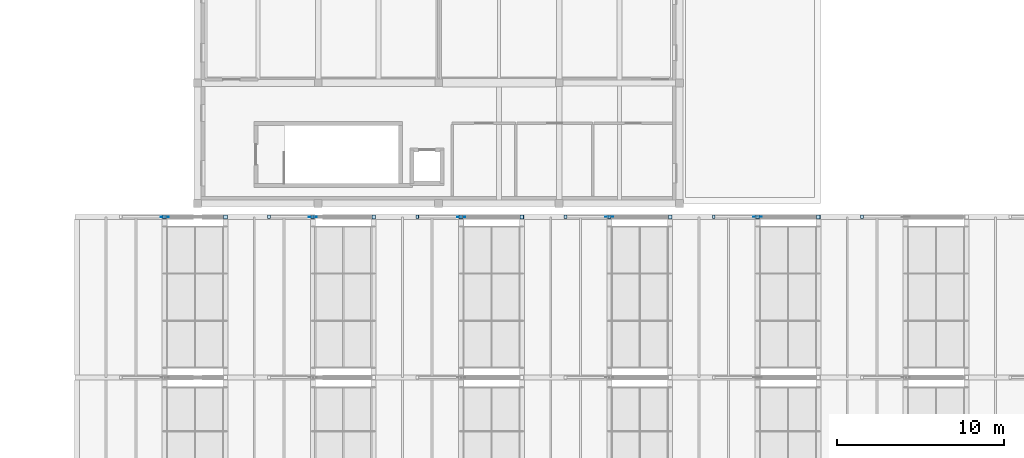
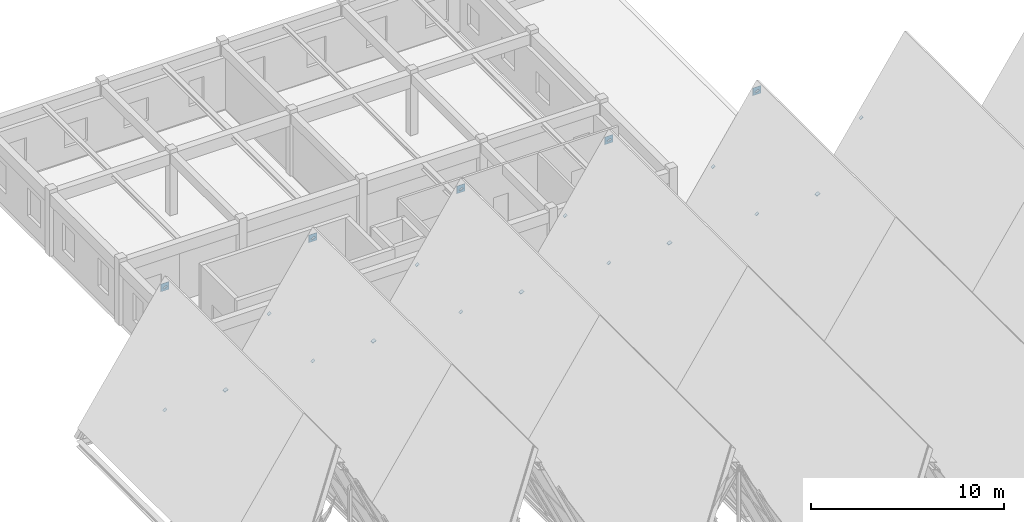
# One storey, part 80 of 99: 25 plates.
"""IFC4 building model written with IfcOpenShell, lengths in metres."""

from ifc_helpers import new_model, si_unit, direction, frame, origin, origin_2d, place, context, subcontext, project, spatial, rectangle, extrude, material, layer, layer_set, type_object, element, save


model = new_model("IFC4")

# Units and contexts
model_context = context("Model", 3, precision=1e-05, world=origin(), true_north=direction((0.0, 1.0)))
body_context = subcontext(model_context, "Body", "Model", "MODEL_VIEW")
ifc_project = project(units=[si_unit("LENGTHUNIT", "METRE"), si_unit("AREAUNIT", "SQUARE_METRE"), si_unit("VOLUMEUNIT", "CUBIC_METRE"), si_unit("PLANEANGLEUNIT", "RADIAN"), si_unit("MASSUNIT", "GRAM", prefix="KILO")], contexts=[model_context])

# Site, building, storey
site_placement = place(None, origin())
site = spatial("IfcSite", under=ifc_project, at=site_placement, CompositionType="ELEMENT")
building_placement = place(site_placement, origin())
building = spatial("IfcBuilding", under=site, at=building_placement, Name="Bramveld Media Centre", CompositionType="ELEMENT")
storey_placement = place(building_placement, frame((0.0, 0.0, 13.800048828125)))
storey = spatial("IfcBuildingStorey", under=building, at=storey_placement, Name="L03", CompositionType="ELEMENT", Elevation=13.800048828125)

# Plates
ifc_material_1 = material(Name="Steel S355J2", Category="steel")
ifc_layer_1 = layer(ifc_material_1, 0.010009765625)
ifc_layer_set_1 = layer_set([ifc_layer_1], Name="Steel S355J2")
plate_type_1 = type_object("IfcPlateType", Name="PLT-CAP-10", PredefinedType="USERDEFINED", material=ifc_layer_set_1)
for number, where, z_axis, x_axis, name in (
    (1, (129.219970703125, 38.39990234375, 0.0), (0.556174588167, 0.0, -0.83106547725), (0.0, 1.0, 0.0), "Hollow section end cap plate CAP-TRUSS-V1-B01-F5-W0"),
    (2, (138.0771484375, 38.39990234375, 0.0), (0.556159869959, 0.0, -0.831075326939), (0.0, 1.0, 0.0), "Hollow section end cap plate CAP-TRUSS-V1-B02-F5-W0"),
    (3, (135.467041015625, 38.39990234375, 3.89990234375), (-0.556159869959, 0.0, 0.831075326939), (0.0, -1.0, 0.0), "Hollow section end cap plate CAP-TRUSS-V1-B02-F5-W1"),
):
    element("IfcPlate", number, at=place(storey_placement, frame(where, z_axis=z_axis, x_axis=x_axis)), inside=storey, type_object=plate_type_1, Name=name, ObjectType="CAP PLATE", PredefinedType="USERDEFINED", context=body_context, shape_type="SweptSolid", body=[
        extrude(rectangle(XDim=0.199951171875, YDim=0.199951171875, at=origin_2d()), origin(), (0.0, 0.0, 1.0), 0.010009765625),
    ])
plate_1_placement = place(storey_placement, frame((150.5712890625, 38.39990234375, 0.0), z_axis=(0.422618287099, 0.0, -0.906307775212), x_axis=(0.0, 1.0, 0.0)))
element("IfcPlate", 4, at=plate_1_placement, inside=storey, type_object=plate_type_1, Name="Hollow section end cap plate CAP-TRUSS-V1-B03-F5-B", ObjectType="CAP PLATE", PredefinedType="USERDEFINED", context=body_context, shape_type="SweptSolid", body=[
    extrude(rectangle(XDim=0.239990234375, YDim=0.239990234375, at=origin_2d()), origin(), (0.0, 0.0, 1.0), 0.010009765625),
])
for number, where, z_axis, x_axis, name in (
    (5, (146.934326171875, 38.39990234375, 0.0), (0.556159869959, 0.0, -0.831075326939), (0.0, 1.0, 0.0), "Hollow section end cap plate CAP-TRUSS-V1-B03-F5-W0"),
    (6, (144.32421875, 38.39990234375, 3.89990234375), (-0.556159869959, 0.0, 0.831075326939), (0.0, -1.0, 0.0), "Hollow section end cap plate CAP-TRUSS-V1-B03-F5-W1"),
):
    element("IfcPlate", number, at=place(storey_placement, frame(where, z_axis=z_axis, x_axis=x_axis)), inside=storey, type_object=plate_type_1, Name=name, ObjectType="CAP PLATE", PredefinedType="USERDEFINED", context=body_context, shape_type="SweptSolid", body=[
        extrude(rectangle(XDim=0.199951171875, YDim=0.199951171875, at=origin_2d()), origin(), (0.0, 0.0, 1.0), 0.010009765625),
    ])
plate_2_placement = place(storey_placement, frame((155.79150390625, 38.39990234375, 7.7998046875), z_axis=(-0.422627830907, 0.0, 0.9063033248), x_axis=(0.0, -1.0, 0.0)))
element("IfcPlate", 7, at=plate_2_placement, inside=storey, type_object=plate_type_1, Name="Hollow section end cap plate CAP-TRUSS-V1-B04-F5-A", ObjectType="CAP PLATE", PredefinedType="USERDEFINED", context=body_context, shape_type="SweptSolid", body=[
    extrude(rectangle(XDim=0.239990234375, YDim=0.239990234375, at=origin_2d()), origin(), (0.0, 0.0, 1.0), 0.010009765625),
])
for number, where, z_axis, x_axis, name in (
    (8, (155.79150390625, 38.39990234375, 0.0), (0.556159869959, 0.0, -0.831075326939), (0.0, 1.0, 0.0), "Hollow section end cap plate CAP-TRUSS-V1-B04-F5-W0"),
    (9, (153.181396484375, 38.39990234375, 3.89990234375), (-0.556159869959, 0.0, 0.831075326939), (0.0, -1.0, 0.0), "Hollow section end cap plate CAP-TRUSS-V1-B04-F5-W1"),
    (10, (164.648681640625, 38.39990234375, 0.0), (0.556174588167, 0.0, -0.83106547725), (0.0, 1.0, 0.0), "Hollow section end cap plate CAP-TRUSS-V1-B05-F5-W0"),
    (11, (162.038330078125, 38.39990234375, 3.89990234375), (-0.556174588167, 0.0, 0.83106547725), (0.0, -1.0, 0.0), "Hollow section end cap plate CAP-TRUSS-V1-B05-F5-W1"),
    (12, (170.8955078125, 38.39990234375, 3.89990234375), (-0.556174588167, 0.0, 0.83106547725), (0.0, -1.0, 0.0), "Hollow section end cap plate CAP-TRUSS-V1-B06-F5-W1"),
):
    element("IfcPlate", number, at=place(storey_placement, frame(where, z_axis=z_axis, x_axis=x_axis)), inside=storey, type_object=plate_type_1, Name=name, ObjectType="CAP PLATE", PredefinedType="USERDEFINED", context=body_context, shape_type="SweptSolid", body=[
        extrude(rectangle(XDim=0.199951171875, YDim=0.199951171875, at=origin_2d()), origin(), (0.0, 0.0, 1.0), 0.010009765625),
    ])
ifc_material_2 = material(Name="Steel S355J2", Category="steel")
ifc_layer_2 = layer(ifc_material_2, 0.013916015625)
ifc_layer_set_2 = layer_set([ifc_layer_2], Name="Steel S355J2")
plate_type_2 = type_object("IfcPlateType", Name="PLT-CAP-14", PredefinedType="USERDEFINED", material=ifc_layer_set_2)
for number, where, z_axis, x_axis, name in (
    (13, (129.2197265625, 38.39990234375, 7.7998046875), (-0.422618287099, 0.0, 0.906307775212), (0.0, -1.0, 0.0), "Hollow section end cap plate CAP-TRUSS-V1-B01-F5-A"),
    (14, (159.4287109375, 38.39990234375, 0.0), (0.422627830907, 0.0, -0.9063033248), (0.0, 1.0, 0.0), "Hollow section end cap plate CAP-TRUSS-V1-B04-F5-B"),
    (15, (164.6484375, 38.39990234375, 7.7998046875), (-0.422618287099, 0.0, 0.906307775212), (0.0, -1.0, 0.0), "Hollow section end cap plate CAP-TRUSS-V1-B05-F5-A"),
):
    element("IfcPlate", number, at=place(storey_placement, frame(where, z_axis=z_axis, x_axis=x_axis)), inside=storey, type_object=plate_type_2, Name=name, ObjectType="CAP PLATE", PredefinedType="USERDEFINED", context=body_context, shape_type="SweptSolid", body=[
        extrude(rectangle(XDim=0.239990234375, YDim=0.239990234375, at=origin_2d()), origin(), (0.0, 0.0, 1.0), 0.013916015625),
    ])
ifc_material_3 = material(Name="Steel S355J2", Category="steel")
ifc_layer_3 = layer(ifc_material_3, 0.01806640625)
ifc_layer_set_3 = layer_set([ifc_layer_3], Name="Steel S355J2")
plate_type_3 = type_object("IfcPlateType", Name="PLT-CAP-18", PredefinedType="USERDEFINED", material=ifc_layer_set_3)
for number, where, z_axis, x_axis, name in (
    (16, (132.85693359375, 38.39990234375, 0.0), (0.422618287099, 0.0, -0.906307775212), (0.0, 1.0, 0.0), "Hollow section end cap plate CAP-TRUSS-V1-B01-F5-B"),
    (17, (138.0771484375, 38.39990234375, 7.7998046875), (-0.422627830907, 0.0, 0.9063033248), (0.0, -1.0, 0.0), "Hollow section end cap plate CAP-TRUSS-V1-B02-F5-A"),
    (18, (168.28564453125, 38.39990234375, 0.0), (0.422618287099, 0.0, -0.906307775212), (0.0, 1.0, 0.0), "Hollow section end cap plate CAP-TRUSS-V1-B05-F5-B"),
):
    element("IfcPlate", number, at=place(storey_placement, frame(where, z_axis=z_axis, x_axis=x_axis)), inside=storey, type_object=plate_type_3, Name=name, ObjectType="CAP PLATE", PredefinedType="USERDEFINED", context=body_context, shape_type="SweptSolid", body=[
        extrude(rectangle(XDim=0.239990234375, YDim=0.239990234375, at=origin_2d()), origin(), (0.0, 0.0, 1.0), 0.01806640625),
    ])
ifc_material_4 = material(Name="Steel S355J2", Category="steel")
ifc_layer_4 = layer(ifc_material_4, 0.02197265625)
ifc_layer_set_4 = layer_set([ifc_layer_4], Name="Steel S355J2")
plate_type_4 = type_object("IfcPlateType", Name="PLT-CAP-22", PredefinedType="USERDEFINED", material=ifc_layer_set_4)
for number, where, z_axis, x_axis, name in (
    (19, (141.71435546875, 38.39990234375, 0.0), (0.422627830907, 0.0, -0.9063033248), (0.0, 1.0, 0.0), "Hollow section end cap plate CAP-TRUSS-V1-B02-F5-B"),
    (20, (146.934326171875, 38.39990234375, 7.800048828125), (-0.422618287099, 0.0, 0.906307775212), (0.0, -1.0, 0.0), "Hollow section end cap plate CAP-TRUSS-V1-B03-F5-A"),
):
    element("IfcPlate", number, at=place(storey_placement, frame(where, z_axis=z_axis, x_axis=x_axis)), inside=storey, type_object=plate_type_4, Name=name, ObjectType="CAP PLATE", PredefinedType="USERDEFINED", context=body_context, shape_type="SweptSolid", body=[
        extrude(rectangle(XDim=0.239990234375, YDim=0.239990234375, at=origin_2d()), origin(), (0.0, 0.0, 1.0), 0.02197265625),
    ])
ifc_material_5 = material(Name="Steel S355J2", Category="steel")
ifc_layer_5 = layer(ifc_material_5, 0.01611328125)
ifc_layer_set_5 = layer_set([ifc_layer_5], Name="Steel S355J2")
plate_type_5 = type_object("IfcPlateType", Name="PLT-GUSSET-16", PredefinedType="USERDEFINED", material=ifc_layer_set_5)
plate_3_placement = place(storey_placement, frame((164.6484375, 38.39990234375, 7.56005859375), z_axis=(0.0, 0.0, 1.0), x_axis=(1.0, 0.0, 0.0)))
element("IfcPlate", 21, at=plate_3_placement, inside=storey, type_object=plate_type_5, Name="TRUSS-V1-B05-F5 apex node gusset plate", ObjectType="GUSSET PLATE", PredefinedType="USERDEFINED", context=body_context, shape_type="SweptSolid", body=[
    extrude(rectangle(XDim=0.47998046875, YDim=0.01611328125, at=origin_2d()), origin(), (0.0, 0.0, 1.0), 0.47998046875),
])
ifc_material_6 = material(Name="Steel S355J2", Category="steel")
ifc_layer_6 = layer(ifc_material_6, 0.02001953125)
ifc_layer_set_6 = layer_set([ifc_layer_6], Name="Steel S355J2")
plate_type_6 = type_object("IfcPlateType", Name="PLT-GUSSET-20", PredefinedType="USERDEFINED", material=ifc_layer_set_6)
plate_4_placement = place(storey_placement, frame((155.791259765625, 38.39990234375, 7.56005859375), z_axis=(0.0, 0.0, 1.0), x_axis=(1.0, 0.0, 0.0)))
element("IfcPlate", 22, at=plate_4_placement, inside=storey, type_object=plate_type_6, Name="TRUSS-V1-B04-F5 apex node gusset plate", ObjectType="GUSSET PLATE", PredefinedType="USERDEFINED", context=body_context, shape_type="SweptSolid", body=[
    extrude(rectangle(XDim=0.47998046875, YDim=0.02001953125, at=origin_2d()), origin(), (0.0, 0.0, 1.0), 0.47998046875),
])
ifc_material_7 = material(Name="Steel S355J2", Category="steel")
ifc_layer_7 = layer(ifc_material_7, 0.02392578125)
ifc_layer_set_7 = layer_set([ifc_layer_7], Name="Steel S355J2")
plate_type_7 = type_object("IfcPlateType", Name="PLT-GUSSET-24", PredefinedType="USERDEFINED", material=ifc_layer_set_7)
plate_5_placement = place(storey_placement, frame((146.93408203125, 38.39990234375, 7.56005859375), z_axis=(0.0, 0.0, 1.0), x_axis=(1.0, 0.0, 0.0)))
element("IfcPlate", 23, at=plate_5_placement, inside=storey, type_object=plate_type_7, Name="TRUSS-V1-B03-F5 apex node gusset plate", ObjectType="GUSSET PLATE", PredefinedType="USERDEFINED", context=body_context, shape_type="SweptSolid", body=[
    extrude(rectangle(XDim=0.47998046875, YDim=0.02392578125, at=origin_2d()), origin(), (0.0, 0.0, 1.0), 0.47998046875),
])
ifc_material_8 = material(Name="Steel S355J2", Category="steel")
ifc_layer_8 = layer(ifc_material_8, 0.028076171875)
ifc_layer_set_8 = layer_set([ifc_layer_8], Name="Steel S355J2")
plate_type_8 = type_object("IfcPlateType", Name="PLT-GUSSET-28", PredefinedType="USERDEFINED", material=ifc_layer_set_8)
plate_6_placement = place(storey_placement, frame((138.076904296875, 38.39990234375, 7.56005859375), z_axis=(0.0, 0.0, 1.0), x_axis=(1.0, 0.0, 0.0)))
element("IfcPlate", 24, at=plate_6_placement, inside=storey, type_object=plate_type_8, Name="TRUSS-V1-B02-F5 apex node gusset plate", ObjectType="GUSSET PLATE", PredefinedType="USERDEFINED", context=body_context, shape_type="SweptSolid", body=[
    extrude(rectangle(XDim=0.47998046875, YDim=0.028076171875, at=origin_2d()), origin(), (0.0, 0.0, 1.0), 0.47998046875),
])
ifc_material_9 = material(Name="Steel S355J2", Category="steel")
ifc_layer_9 = layer(ifc_material_9, 0.030029296875)
ifc_layer_set_9 = layer_set([ifc_layer_9], Name="Steel S355J2")
plate_type_9 = type_object("IfcPlateType", Name="PLT-GUSSET-30", PredefinedType="USERDEFINED", material=ifc_layer_set_9)
plate_7_placement = place(storey_placement, frame((129.219970703125, 38.39990234375, 7.56005859375), z_axis=(0.0, 0.0, 1.0), x_axis=(1.0, 0.0, 0.0)))
element("IfcPlate", 25, at=plate_7_placement, inside=storey, type_object=plate_type_9, Name="TRUSS-V1-B01-F5 apex node gusset plate", ObjectType="GUSSET PLATE", PredefinedType="USERDEFINED", context=body_context, shape_type="SweptSolid", body=[
    extrude(rectangle(XDim=0.47998046875, YDim=0.030029296875, at=origin_2d()), origin(), (0.0, 0.0, 1.0), 0.47998046875),
])

save(model, "model.ifc")
